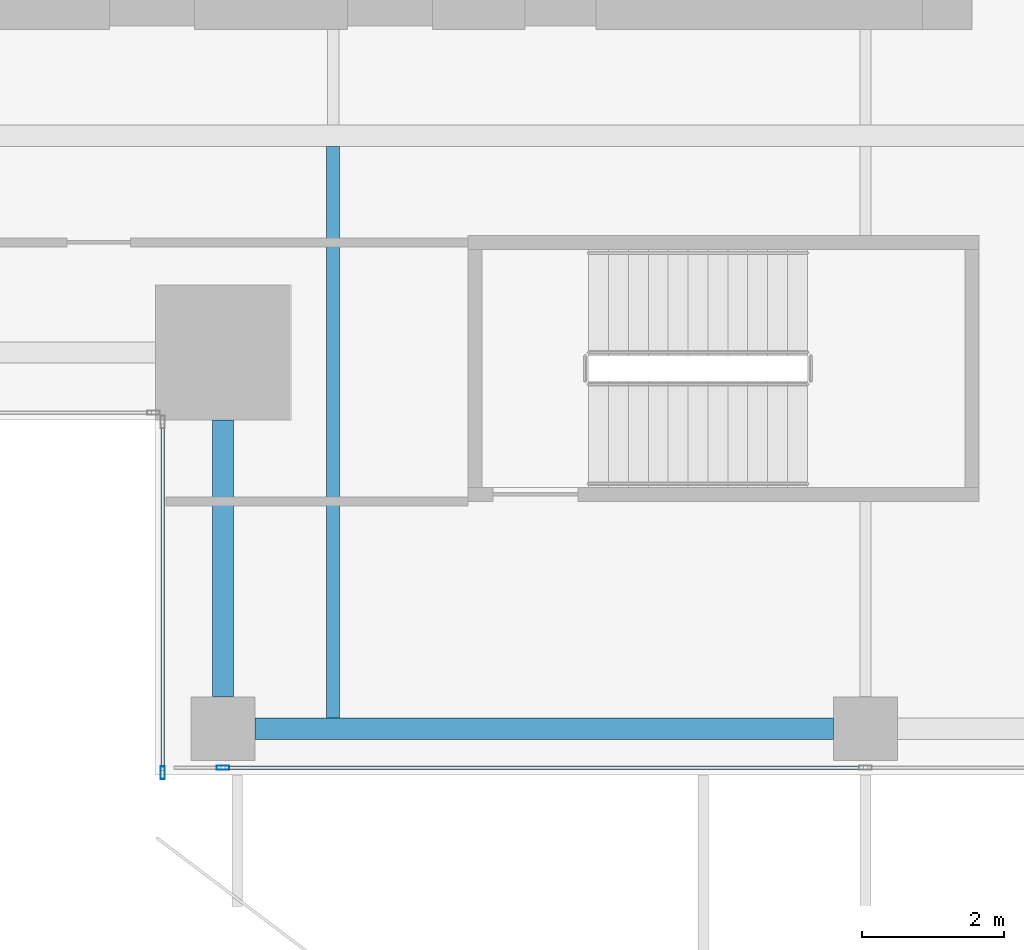
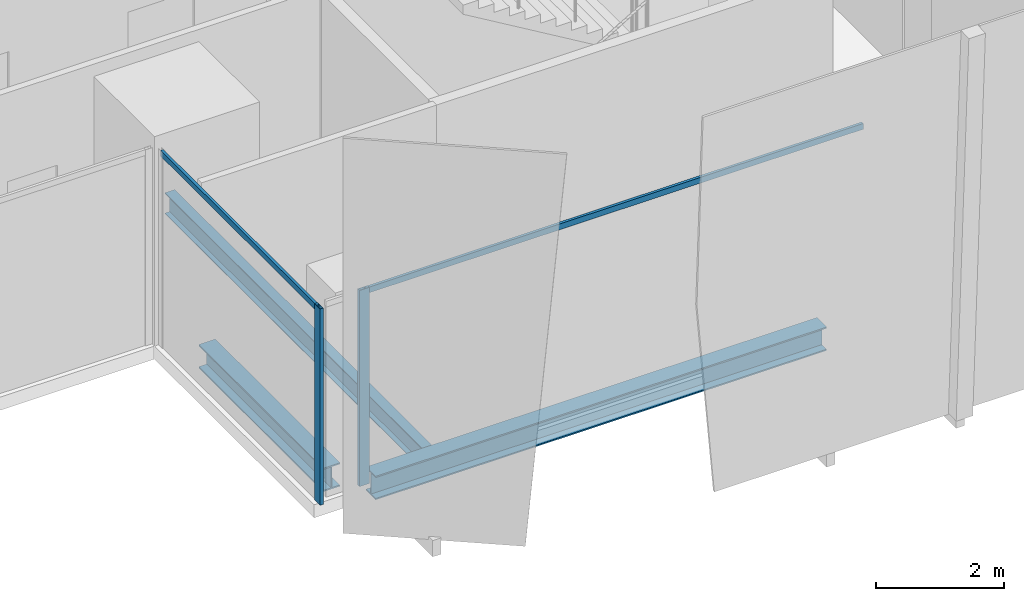
# One storey, part 2 of 35: 4 members, 3 beams, 2 elements without a shape of their own.
"""IFC4 building model written with IfcOpenShell, lengths in metres."""

import ifcopenshell
import ifcopenshell.guid

model = None  # the IFC model being written
_history = None  # IfcOwnerHistory: only IFC2X3 demands one
_inside = {}  # id of a spatial element -> (the spatial element, [elements in it])
_under = {}  # id of a project, library or spatial element -> (it, [spatial elements below it])
_declared = {}  # id of a project -> (the project, [libraries it declares])
_typed = {}  # id of a type object -> (the type object, [elements of that type])
_made_of = {}  # id of a material, layer set ... -> (it, [elements and type objects made of it])


def new_model(schema):
    """Start an empty IFC model of exactly this schema.

    Asked for "IFC4X3", IfcOpenShell would pick the latest addendum, in which some entities
    have other attributes; the version numbers below select the first issue.
    IFC2X3 requires an IfcOwnerHistory on every rooted entity: one is made here for all.
    """
    global model, _history
    if schema == "IFC4X3":
        model = ifcopenshell.file(schema_version=(4, 3, 0, 0))
    else:
        model = ifcopenshell.file(schema=schema)
    _inside.clear()
    _under.clear()
    _declared.clear()
    _typed.clear()
    _made_of.clear()
    _history = None
    if model.schema == "IFC2X3":
        org = make("IfcOrganization", Name="unknown")
        user = make(
            "IfcPersonAndOrganization",
            ThePerson=make("IfcPerson", FamilyName="unknown"),
            TheOrganization=org,
        )
        app = make(
            "IfcApplication",
            ApplicationDeveloper=org,
            Version="unknown",
            ApplicationFullName="unknown",
            ApplicationIdentifier="unknown",
        )
        _history = make(
            "IfcOwnerHistory",
            OwningUser=user,
            OwningApplication=app,
            ChangeAction="ADDED",
            CreationDate=0,
        )
    return model


def make(cls, **values):
    """One entity of the class cls with the attributes given. An attribute that is None is left unset."""
    return model.create_entity(
        cls, **{name: value for name, value in values.items() if value is not None}
    )


def rooted(cls, **values):
    """An entity with a GlobalId (a new one), such as an element, a storey or a relation."""
    return make(cls, GlobalId=ifcopenshell.guid.new(), OwnerHistory=_history, **values)


def si_unit(unit_type, name, prefix=None):
    """IfcSIUnit, for example si_unit("LENGTHUNIT", "METRE", prefix="MILLI")."""
    return make("IfcSIUnit", UnitType=unit_type, Prefix=prefix, Name=name)


def assignment(units):
    """IfcUnitAssignment: the units of a project."""
    return None if units is None else make("IfcUnitAssignment", Units=units)


def point(xyz):
    """IfcCartesianPoint."""
    return None if xyz is None else make("IfcCartesianPoint", Coordinates=xyz)


def direction(xyz):
    """IfcDirection."""
    return None if xyz is None else make("IfcDirection", DirectionRatios=xyz)


def frame(location, z_axis=None, x_axis=None):
    """IfcAxis2Placement3D, a coordinate frame: its origin and axes. An axis left out is left unset."""
    return make(
        "IfcAxis2Placement3D",
        Location=point(location),
        Axis=direction(z_axis),
        RefDirection=direction(x_axis),
    )


def frame_2d(location, x_axis=None):
    """IfcAxis2Placement2D, a coordinate frame in the plane: its origin and x axis."""
    return make(
        "IfcAxis2Placement2D", Location=point(location), RefDirection=direction(x_axis)
    )


def origin():
    """The frame at (0, 0, 0) with its axes left unset."""
    return frame((0.0, 0.0, 0.0))


def origin_2d():
    """The frame at (0, 0) in the plane with its x axis left unset."""
    return frame_2d((0.0, 0.0))


def place(relative_to, where):
    """IfcLocalPlacement: puts the frame where relative to a parent placement (None: the world)."""
    return make(
        "IfcLocalPlacement", PlacementRelTo=relative_to, RelativePlacement=where
    )


def context(
    kind, dimensions, precision=None, world=None, true_north=None, identifier=None
):
    """IfcGeometricRepresentationContext, for example the 3D "Model" context."""
    return make(
        "IfcGeometricRepresentationContext",
        ContextIdentifier=identifier,
        ContextType=kind,
        CoordinateSpaceDimension=dimensions,
        Precision=precision,
        WorldCoordinateSystem=world,
        TrueNorth=true_north,
    )


def subcontext(parent, identifier, kind, view, scale=None):
    """IfcGeometricRepresentationSubContext, for example "Body" below "Model"."""
    return make(
        "IfcGeometricRepresentationSubContext",
        ContextIdentifier=identifier,
        ContextType=kind,
        ParentContext=parent,
        TargetScale=scale,
        TargetView=view,
    )


def project(units=None, contexts=None):
    """IfcProject with its units and contexts."""
    return rooted(
        "IfcProject",
        Name="project",
        RepresentationContexts=contexts,
        UnitsInContext=assignment(units),
    )


def spatial(cls, under=None, at=None, **own):
    """A site, building, storey or space (cls), placed at a placement, below another one or the project."""
    s = rooted(cls, ObjectPlacement=at, **own)
    if under is not None:
        _under.setdefault(under.id(), (under, []))[1].append(s)
    return s


def profile(cls, at=None, kind="AREA", **sizes):
    """A parametric profile (cls). Its sizes go by their IFC names, for example OverallWidth=200.0."""
    return make(cls, ProfileType=kind, Position=at, **sizes)


def hollow_rectangle(**sizes):
    """IfcRectangleHollowProfileDef."""
    return profile("IfcRectangleHollowProfileDef", **sizes)


def i_section(**sizes):
    """IfcIShapeProfileDef."""
    return profile("IfcIShapeProfileDef", **sizes)


def extrude(swept, where, along, depth):
    """IfcExtrudedAreaSolid: the profile swept, set in the frame where, extruded along a direction by depth."""
    return make(
        "IfcExtrudedAreaSolid",
        SweptArea=swept,
        Position=where,
        ExtrudedDirection=direction(along),
        Depth=depth,
    )


def shape(context_of_items, identifier, shape_type, items):
    """IfcShapeRepresentation: the items that make up one representation, for example the "Body"."""
    return make(
        "IfcShapeRepresentation",
        ContextOfItems=context_of_items,
        RepresentationIdentifier=identifier,
        RepresentationType=shape_type,
        Items=items,
    )


def source(mapping_origin, context_of_items, identifier, shape_type, items):
    """IfcRepresentationMap: a shape defined once, which mapped items show again and again."""
    return make(
        "IfcRepresentationMap",
        MappingOrigin=mapping_origin,
        MappedRepresentation=shape(context_of_items, identifier, shape_type, items),
    )


def transform(
    local_origin,
    x_axis=None,
    y_axis=None,
    z_axis=None,
    scale=None,
    scale2=None,
    scale3=None,
    uniform=True,
):
    """IfcCartesianTransformationOperator3D, or its non-uniform kind. x_axis, y_axis, z_axis: its Axis1, 2, 3."""
    if uniform:
        return make(
            "IfcCartesianTransformationOperator3D",
            Axis1=direction(x_axis),
            Axis2=direction(y_axis),
            LocalOrigin=point(local_origin),
            Scale=scale,
            Axis3=direction(z_axis),
        )
    return make(
        "IfcCartesianTransformationOperator3DnonUniform",
        Axis1=direction(x_axis),
        Axis2=direction(y_axis),
        LocalOrigin=point(local_origin),
        Scale=scale,
        Axis3=direction(z_axis),
        Scale2=scale2,
        Scale3=scale3,
    )


def mapped(mapping_source, mapping_target):
    """IfcMappedItem: shows the shape of a source again, moved by a transform."""
    return make(
        "IfcMappedItem", MappingSource=mapping_source, MappingTarget=mapping_target
    )


def material(Name=None, Category=None):
    """IfcMaterial."""
    return make("IfcMaterial", Name=Name, Category=Category)


def material_profile(
    of_material, cross_section, Name=None, Category=None, Priority=None
):
    """IfcMaterialProfile: a cross section and its material."""
    return make(
        "IfcMaterialProfile",
        Name=Name,
        Material=of_material,
        Profile=cross_section,
        Priority=Priority,
        Category=Category,
    )


def profile_set(profiles, Name=None, composite=None):
    """IfcMaterialProfileSet."""
    return make(
        "IfcMaterialProfileSet",
        Name=Name,
        MaterialProfiles=profiles,
        CompositeProfile=composite,
    )


def made_of(thing, what):
    """Note that an element or type object is made of a material, layer set ...; save() writes the relation."""
    if what is not None:
        _made_of.setdefault(what.id(), (what, []))[1].append(thing)
    return thing


def type_object(cls, material=None, **own):
    """A type object (cls), such as IfcWallType, which elements share."""
    return made_of(rooted(cls, **own), material)


def element(
    cls,
    number,
    at=None,
    inside=None,
    cuts=None,
    type_object=None,
    material=None,
    context=None,
    identifier="Body",
    shape_type=None,
    held_by="IfcProductDefinitionShape",
    body=None,
    shapes=None,
    **own,
):
    """One element of the class cls, such as IfcWall. Its Tag is "e" and its number.

    at: its placement. inside: the storey or other place that contains it. cuts: it is an
    opening in that element (IfcRelVoidsElement). A single representation is given by context,
    identifier, shape_type and body (its items); several are given by shapes. held_by: the class
    of the entity that holds the representations. save() writes the other relations.
    """
    e = rooted(cls, Tag="e%d" % number, ObjectPlacement=at, **own)
    if body is not None:
        shapes = [shape(context, identifier, shape_type, body)]
    if shapes is not None:
        e.Representation = make(held_by, Representations=shapes)
    if inside is not None:
        _inside.setdefault(inside.id(), (inside, []))[1].append(e)
    if cuts is not None:
        rooted(
            "IfcRelVoidsElement", RelatingBuildingElement=cuts, RelatedOpeningElement=e
        )
    if type_object is not None:
        _typed.setdefault(type_object.id(), (type_object, []))[1].append(e)
    return made_of(e, material)


def aggregate(whole, parts):
    """IfcRelAggregates: a whole, such as a stair, and the parts it consists of."""
    return rooted("IfcRelAggregates", RelatingObject=whole, RelatedObjects=parts)


def save(model, path):
    """Write the relations noted so far, then the file.

    IfcRelAggregates (storeys below a building ...), IfcRelContainedInSpatialStructure (elements
    in a storey), IfcRelDefinesByType, IfcRelAssociatesMaterial and IfcRelDeclares: one each for
    every whole, place, type object, material and project.
    """
    for whole, parts in _under.values():
        aggregate(whole, parts)
    for where, things in _inside.values():
        rooted(
            "IfcRelContainedInSpatialStructure",
            RelatedElements=things,
            RelatingStructure=where,
        )
    for kind, things in _typed.values():
        rooted("IfcRelDefinesByType", RelatedObjects=things, RelatingType=kind)
    for what, things in _made_of.values():
        rooted("IfcRelAssociatesMaterial", RelatedObjects=things, RelatingMaterial=what)
    for by, libraries in _declared.values():
        rooted("IfcRelDeclares", RelatingContext=by, RelatedDefinitions=libraries)
    model.write(path)


model = new_model("IFC4")

# Units and contexts
model_context = context("Model", 3, precision=1e-05, world=origin(), true_north=direction((0.0, 1.0)))
body_context = subcontext(model_context, "Body", "Model", "MODEL_VIEW")
ifc_project = project(units=[si_unit("LENGTHUNIT", "METRE"), si_unit("AREAUNIT", "SQUARE_METRE"), si_unit("VOLUMEUNIT", "CUBIC_METRE"), si_unit("PLANEANGLEUNIT", "RADIAN"), si_unit("MASSUNIT", "GRAM", prefix="KILO")], contexts=[model_context])

# Site, building, storey
site_placement = place(None, origin())
site = spatial("IfcSite", under=ifc_project, at=site_placement, CompositionType="ELEMENT")
building_placement = place(site_placement, origin())
building = spatial("IfcBuilding", under=site, at=building_placement, Name="Khomas Fold Tower", CompositionType="ELEMENT")
storey_placement = place(building_placement, frame((0.0, 0.0, 258.199951171875)))
storey = spatial("IfcBuildingStorey", under=building, at=storey_placement, Name="L58", CompositionType="ELEMENT", Elevation=258.199951171875)

# Beams
ifc_material_1 = material(Name="Steel S355", Category="steel")
ifc_material_profile_1 = material_profile(ifc_material_1, i_section(OverallWidth=0.300048828125, OverallDepth=0.449951171875, WebThickness=0.013916015625, FlangeThickness=0.02587890625, at=origin_2d()), Name="HE 450 B")
ifc_profile_set_1 = profile_set([ifc_material_profile_1], Name="Steel S355")
beam_type_1 = type_object("IfcBeamType", Name="HE 450 B spandrel SB4", PredefinedType="SPANDREL", material=ifc_profile_set_1)
shared_shape_1 = source(origin(), body_context, "Body", "SweptSolid", [
    extrude(i_section(OverallWidth=0.300048828125, OverallDepth=0.449951171875, WebThickness=0.013916015625, FlangeThickness=0.02587890625, at=origin_2d()), origin(), (0.0, 0.0, 1.0), 8.150146484375),
])
beam_1_placement = place(storey_placement, frame((10.89990234375, 5.14990234375, -0.474853515625), z_axis=(1.0, 0.0, 0.0), x_axis=(0.0, 1.0, 0.0)))
element("IfcBeam", 1, at=beam_1_placement, inside=storey, type_object=beam_type_1, Name="SB4", PredefinedType="SPANDREL", context=body_context, shape_type="MappedRepresentation", body=[
    mapped(shared_shape_1, transform((0.0, 0.0, 0.0))),
])
shared_shape_2 = source(origin(), body_context, "Body", "SweptSolid", [
    extrude(i_section(OverallWidth=0.300048828125, OverallDepth=0.449951171875, WebThickness=0.013916015625, FlangeThickness=0.02587890625, at=origin_2d()), origin(), (0.0, 0.0, 1.0), 3.89990234375),
])
beam_2_placement = place(storey_placement, frame((10.449951171875, 5.60009765625, -0.474853515625), z_axis=(0.0, 1.0, 0.0), x_axis=(-1.0, 0.0, 0.0)))
element("IfcBeam", 2, at=beam_2_placement, inside=storey, type_object=beam_type_1, Name="SB4", PredefinedType="SPANDREL", context=body_context, shape_type="MappedRepresentation", body=[
    mapped(shared_shape_2, transform((0.0, 0.0, 0.0))),
])
ifc_material_2 = material(Name="Steel S355", Category="steel")
ifc_material_profile_2 = material_profile(ifc_material_2, i_section(OverallWidth=0.179931640625, OverallDepth=0.39990234375, WebThickness=0.008544921875, FlangeThickness=0.013427734375, at=origin_2d()), Name="IPE 400")
ifc_profile_set_2 = profile_set([ifc_material_profile_2], Name="Steel S355")
beam_type_2 = type_object("IfcBeamType", Name="IPE 400 beam JB3", PredefinedType="BEAM", material=ifc_profile_set_2)
shared_shape_3 = source(origin(), body_context, "Body", "SweptSolid", [
    extrude(i_section(OverallWidth=0.179931640625, OverallDepth=0.39990234375, WebThickness=0.008544921875, FlangeThickness=0.013427734375, at=origin_2d()), origin(), (0.0, 0.0, 1.0), 8.050048828125),
])
beam_3_placement = place(storey_placement, frame((12.0, 5.300048828125, -0.449951171875), z_axis=(0.0, 1.0, 0.0), x_axis=(-1.0, 0.0, 0.0)))
element("IfcBeam", 3, at=beam_3_placement, inside=storey, type_object=beam_type_2, Name="JB3", PredefinedType="BEAM", context=body_context, shape_type="MappedRepresentation", body=[
    mapped(shared_shape_3, transform((0.0, 0.0, 0.0))),
])

# Curtain wall, member
ifc_material_3 = material(Name="Aluminium framed double glazing", Category="aluminium")
curtain_wall_type = type_object("IfcCurtainWallType", Name="SK-Unitised clear-glass wall, office floors CW2", PredefinedType="NOTDEFINED", material=ifc_material_3)
curtain_wall_1_placement = place(storey_placement, origin())
curtain_wall_1 = element("IfcCurtainWall", 4, at=curtain_wall_1_placement, inside=storey, type_object=curtain_wall_type, Name="CW2 run L58 00-0", PredefinedType="NOTDEFINED")
ifc_material_4 = material(Name="Aluminium", Category="aluminium")
ifc_material_profile_3 = material_profile(ifc_material_4, hollow_rectangle(XDim=0.06005859375, YDim=0.179931640625, WallThickness=0.00390625, at=origin_2d()), Name="SK-Unitised clear-glass wall, office floors mullion CW2-M")
ifc_profile_set_3 = profile_set([ifc_material_profile_3], Name="Aluminium")
member_type_1 = type_object("IfcMemberType", Name="SK-Unitised clear-glass wall, office floors mullion CW2-M", PredefinedType="MULLION", material=ifc_profile_set_3)
shared_shape_4 = source(origin(), body_context, "Body", "SweptSolid", [
    extrude(hollow_rectangle(XDim=0.06005859375, YDim=0.179931640625, WallThickness=0.00390625, at=origin_2d()), origin(), (0.0, 0.0, 1.0), 3.75),
])
member_1_placement = place(storey_placement, frame((10.449951171875, 4.60009765625, 0.0), z_axis=(0.0, 0.0, 1.0), x_axis=(0.0, 1.0, 0.0)))
member_1 = element("IfcMember", 5, at=member_1_placement, type_object=member_type_1, Name="CW2 mullion 2", PredefinedType="MULLION", context=body_context, shape_type="MappedRepresentation", body=[
    mapped(shared_shape_4, transform((0.0, 0.0, 0.0))),
])

curtain_wall_2_placement = place(storey_placement, origin())
curtain_wall_2 = element("IfcCurtainWall", 6, at=curtain_wall_2_placement, inside=storey, type_object=curtain_wall_type, Name="CW2 corner return L58 11", PredefinedType="NOTDEFINED")
member_2_placement = place(storey_placement, frame((9.60009765625, 4.530029296875, 0.0), z_axis=(0.0, 0.0, 1.0), x_axis=(1.0, 0.0, 0.0)))
member_2 = element("IfcMember", 7, at=member_2_placement, type_object=member_type_1, Name="CW2 mullion 2", PredefinedType="MULLION", context=body_context, shape_type="MappedRepresentation", body=[
    mapped(shared_shape_4, transform((0.0, 0.0, 0.0))),
])

# Member
ifc_material_5 = material(Name="Aluminium", Category="aluminium")
ifc_material_profile_4 = material_profile(ifc_material_5, hollow_rectangle(XDim=0.050048828125, YDim=0.110107421875, WallThickness=0.00390625, at=origin_2d()), Name="SK-Unitised clear-glass wall, office floors transom CW2-T")
ifc_profile_set_4 = profile_set([ifc_material_profile_4], Name="Aluminium")
member_type_2 = type_object("IfcMemberType", Name="SK-Unitised clear-glass wall, office floors transom CW2-T", PredefinedType="USERDEFINED", material=ifc_profile_set_4)
shared_shape_5 = source(origin(), body_context, "Body", "SweptSolid", [
    extrude(hollow_rectangle(XDim=0.050048828125, YDim=0.110107421875, WallThickness=0.00390625, at=origin_2d()), origin(), (0.0, 0.0, 1.0), 8.989990234375),
])
member_3_placement = place(storey_placement, frame((10.47998046875, 4.60009765625, 3.695068359375), z_axis=(1.0, 0.0, 0.0), x_axis=(0.0, 1.0, 0.0)))
member_3 = element("IfcMember", 8, at=member_3_placement, type_object=member_type_2, Name="CW2 transom 2", ObjectType="TRANSOM", PredefinedType="USERDEFINED", context=body_context, shape_type="MappedRepresentation", body=[
    mapped(shared_shape_5, transform((0.0, 0.0, 0.0))),
])

aggregate(curtain_wall_1, [member_1, member_3])

shared_shape_6 = source(origin(), body_context, "Body", "SweptSolid", [
    extrude(hollow_rectangle(XDim=0.050048828125, YDim=0.110107421875, WallThickness=0.00390625, at=origin_2d()), origin(), (0.0, 0.0, 1.0), 4.8798828125),
])
member_4_placement = place(storey_placement, frame((9.60009765625, 9.43994140625, 3.695068359375), z_axis=(0.0, -1.0, 0.0), x_axis=(1.0, 0.0, 0.0)))
member_4 = element("IfcMember", 9, at=member_4_placement, type_object=member_type_2, Name="CW2 transom 1", ObjectType="TRANSOM", PredefinedType="USERDEFINED", context=body_context, shape_type="MappedRepresentation", body=[
    mapped(shared_shape_6, transform((0.0, 0.0, 0.0))),
])

aggregate(curtain_wall_2, [member_2, member_4])

save(model, "model.ifc")
